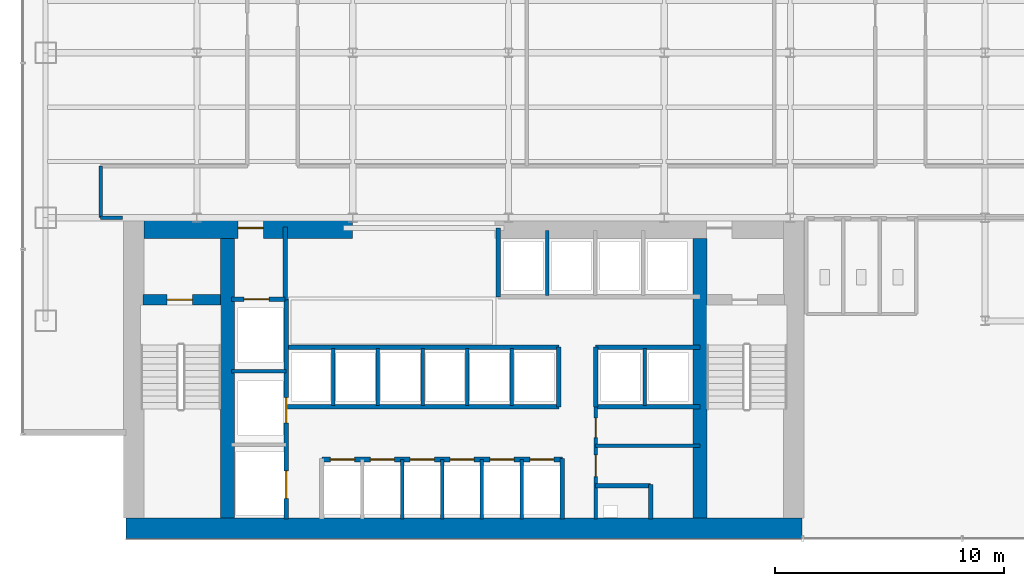
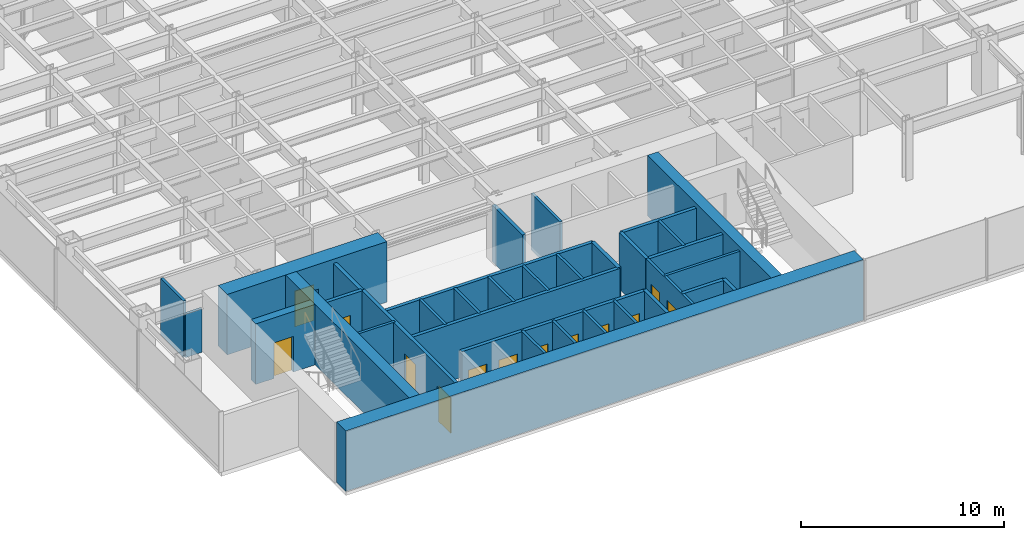
# One storey, part 18 of 23: 35 walls, 13 doors, 13 openings.
"""IFC4 building model written with IfcOpenShell, lengths in metres."""

from ifc_helpers import new_model, si_unit, derived_unit, direction, frame, frame_2d, origin, place, context, subcontext, project, spatial, rectangle, extrude, source, transform, mapped, material, layer, layer_set, type_object, element, fill, save


model = new_model("IFC4")

# Units and contexts
model_context = context("Model", 3, precision=1e-05, world=origin(), true_north=direction((0.0, 1.0)))
body_context = subcontext(model_context, "Body", "Model", "MODEL_VIEW")
ifc_project = project(units=[si_unit("LENGTHUNIT", "METRE"), si_unit("AREAUNIT", "SQUARE_METRE"), si_unit("VOLUMEUNIT", "CUBIC_METRE"), si_unit("PLANEANGLEUNIT", "RADIAN"), si_unit("MASSUNIT", "GRAM", prefix="KILO"), derived_unit("THERMALTRANSMITTANCEUNIT", [(si_unit("POWERUNIT", "WATT"), 1), (si_unit("LENGTHUNIT", "METRE"), -2), (si_unit("THERMODYNAMICTEMPERATUREUNIT", "KELVIN"), -1)])], contexts=[model_context])

# Site, building, storey
site_placement = place(None, origin())
site = spatial("IfcSite", under=ifc_project, at=site_placement, CompositionType="ELEMENT")
building_placement = place(site_placement, origin())
building = spatial("IfcBuilding", under=site, at=building_placement, Name="Skarnbrae Concourse Arena and Tower", CompositionType="ELEMENT")
storey_placement = place(building_placement, frame((0.0, 0.0, 54.39990234375)))
storey = spatial("IfcBuildingStorey", under=building, at=storey_placement, Name="L12", CompositionType="ELEMENT", Elevation=54.39990234375)

# Wall
ifc_material_1 = material(Name="Concrete 70 MPa (C70/85)", Category="concrete")
ifc_layer_1 = layer(ifc_material_1, 0.89990234375)
ifc_layer_set_1 = layer_set([ifc_layer_1], Name="Concrete 70 MPa (C70/85)")
wall_type_1 = type_object("IfcWallType", Name="WALL-CORE-900-C70", PredefinedType="SHEAR", material=ifc_layer_set_1)
shared_shape_1 = source(origin(), body_context, "Body", "SweptSolid", [
    extrude(rectangle(XDim=29.5, YDim=0.89990234375, at=frame_2d((14.75, 0.0))), origin(), (0.0, 0.0, 1.0), 3.650146484375),
])
wall_1_placement = place(storey_placement, frame((4.5, 0.449951171875, 0.0), z_axis=(0.0, 0.0, 1.0), x_axis=(1.0, 0.0, 0.0)))
element("IfcWall", 1, at=wall_1_placement, inside=storey, type_object=wall_type_1, Name="L12 Rear core shear wall CW-S", PredefinedType="SHEAR", context=body_context, shape_type="MappedRepresentation", body=[
    mapped(shared_shape_1, transform((0.0, 0.0, 0.0))),
])

# Wall, opening, door
shared_shape_2 = source(origin(), body_context, "Body", "SweptSolid", [
    extrude(rectangle(XDim=9.099853515625, YDim=0.89990234375, at=frame_2d((4.5498046875, 0.0))), origin(), (0.0, 0.0, 1.0), 3.650146484375),
])
wall_2_placement = place(storey_placement, frame((5.300048828125, 13.550048828125, 0.0), z_axis=(0.0, 0.0, 1.0), x_axis=(1.0, 0.0, 0.0)))
wall_2 = element("IfcWall", 2, at=wall_2_placement, inside=storey, type_object=wall_type_1, Name="L12 Rear core shear wall CW-NW", PredefinedType="SHEAR", context=body_context, shape_type="MappedRepresentation", body=[
    mapped(shared_shape_2, transform((0.0, 0.0, 0.0))),
])
opening_1_placement = place(wall_2_placement, frame((4.10009765625, 0.0, 0.0)))
opening_1 = element("IfcOpeningElement", 3, at=opening_1_placement, cuts=wall_2, Name="Opening DT-03", PredefinedType="OPENING", context=body_context, shape_type="SweptSolid", body=[
    extrude(rectangle(XDim=1.10009765625, YDim=2.14990234375, at=frame_2d((0.550048828125, 1.074951171875))), frame((0.0, 0.4599609375, 0.0), z_axis=(0.0, -1.0, 0.0), x_axis=(1.0, 0.0, 0.0)), (0.0, 0.0, 1.0), 0.919921875),
])
ifc_material_2 = material(Name="Steel CSA G40.21 350W", Category="steel")
door_type_1 = type_object("IfcDoorType", Name="DOOR-FIRE-1100-90M", OperationType="NOTDEFINED", PredefinedType="DOOR", material=ifc_material_2)
shared_shape_3 = source(origin(), body_context, "Body", "SweptSolid", [
    extrude(rectangle(XDim=1.10009765625, YDim=2.14990234375, at=frame_2d((0.550048828125, 1.074951171875))), frame((0.0, 0.02490234375, 0.0), z_axis=(0.0, -1.0, 0.0), x_axis=(1.0, 0.0, 0.0)), (0.0, 0.0, 1.0), 0.050048828125),
])
door_1_placement = place(opening_1_placement, origin())
door_1 = element("IfcDoor", 4, at=door_1_placement, inside=storey, type_object=door_type_1, Name="D-0496 Firefighting Lobby Exit Door", OperationType="SINGLE_SWING_RIGHT", OverallHeight=2.14990234375, OverallWidth=1.10009765625, PredefinedType="DOOR", context=body_context, shape_type="MappedRepresentation", body=[
    mapped(shared_shape_3, transform((0.0, 0.0, 0.0))),
])
fill(opening_1, door_1)

# Walls
ifc_layer_2 = layer(ifc_material_1, 0.60009765625)
ifc_layer_set_2 = layer_set([ifc_layer_2], Name="Concrete 70 MPa (C70/85)")
wall_type_2 = type_object("IfcWallType", Name="WALL-CORE-600-C70", PredefinedType="SHEAR", material=ifc_layer_set_2)
shared_shape_4 = source(origin(), body_context, "Body", "SweptSolid", [
    extrude(rectangle(XDim=12.2001953125, YDim=0.60009765625, at=frame_2d((6.10009765625, 0.0))), origin(), (0.0, 0.0, 1.0), 3.650146484375),
])
for number, where, z_axis, x_axis, name in (
    (5, (8.93994140625, 0.89990234375, 0.0), (0.0, 0.0, 1.0), (0.0, 1.0, 0.0), "L12 Rear core shear wall CW-WEB-W"),
    (6, (29.56005859375, 0.89990234375, 0.0), (0.0, 0.0, 1.0), (0.0, 1.0, 0.0), "L12 Rear core shear wall CW-WEB-E"),
):
    element("IfcWall", number, at=place(storey_placement, frame(where, z_axis=z_axis, x_axis=x_axis)), inside=storey, type_object=wall_type_2, Name=name, PredefinedType="SHEAR", context=body_context, shape_type="MappedRepresentation", body=[
        mapped(shared_shape_4, transform((0.0, 0.0, 0.0))),
    ])

# Wall, opening, door
ifc_material_3 = material(Name="Concrete 50 MPa (C50/60)", Category="concrete")
ifc_layer_3 = layer(ifc_material_3, 0.449951171875)
ifc_layer_set_3 = layer_set([ifc_layer_3], Name="Concrete 50 MPa (C50/60)")
wall_type_3 = type_object("IfcWallType", Name="WALL-CORE-450-C50", PredefinedType="SHEAR", material=ifc_layer_set_3)
shared_shape_5 = source(origin(), body_context, "Body", "SweptSolid", [
    extrude(rectangle(XDim=3.389892578125, YDim=0.449951171875, at=frame_2d((1.69482421875, 0.0))), origin(), (0.0, 0.0, 1.0), 3.650146484375),
])
wall_3_placement = place(storey_placement, frame((5.25, 10.419921875, 0.0), z_axis=(0.0, 0.0, 1.0), x_axis=(1.0, 0.0, 0.0)))
wall_3 = element("IfcWall", 7, at=wall_3_placement, inside=storey, type_object=wall_type_3, Name="L12 Rear core shear wall CW-ST1-N", PredefinedType="SHEAR", context=body_context, shape_type="MappedRepresentation", body=[
    mapped(shared_shape_5, transform((0.0, 0.0, 0.0))),
])
opening_2_placement = place(wall_3_placement, frame((1.050048828125, 0.0, 0.0)))
opening_2 = element("IfcOpeningElement", 8, at=opening_2_placement, cuts=wall_3, Name="Opening DT-03", PredefinedType="OPENING", context=body_context, shape_type="SweptSolid", body=[
    extrude(rectangle(XDim=1.10009765625, YDim=2.14990234375, at=frame_2d((0.550048828125, 1.074951171875))), frame((0.0, 0.23486328125, 0.0), z_axis=(0.0, -1.0, 0.0), x_axis=(1.0, 0.0, 0.0)), (0.0, 0.0, 1.0), 0.469970703125),
])
door_2_placement = place(opening_2_placement, frame((1.10009765625, 0.0, 0.0), z_axis=(0.0, 0.0, 1.0), x_axis=(-1.0, 0.0, 0.0)))
door_2 = element("IfcDoor", 9, at=door_2_placement, inside=storey, type_object=door_type_1, Name="D-0494 Stair ST-1 Door", OperationType="SINGLE_SWING_LEFT", OverallHeight=2.14990234375, OverallWidth=1.10009765625, PredefinedType="DOOR", context=body_context, shape_type="MappedRepresentation", body=[
    mapped(shared_shape_3, transform((0.0, 0.0, 0.0))),
])
fill(opening_2, door_2)

# Walls
ifc_material_4 = material(Name="Gypsum board on cold-formed steel studs", Category="steel")
ifc_layer_4 = layer(ifc_material_4, 0.14990234375)
ifc_layer_set_4 = layer_set([ifc_layer_4], Name="Gypsum board on cold-formed steel studs")
wall_type_4 = type_object("IfcWallType", Name="WALL-PART-150-1HR", PredefinedType="PARTITIONING", material=ifc_layer_set_4)
shared_shape_6 = source(origin(), body_context, "Body", "SweptSolid", [
    extrude(rectangle(XDim=0.9501953125, YDim=0.14990234375, at=frame_2d((0.47509765625, 0.0))), origin(), (0.0, 0.0, 1.0), 2.625),
])
wall_4_placement = place(storey_placement, frame((4.35009765625, 14.0, 0.0), z_axis=(0.0, 0.0, 1.0), x_axis=(-1.0, 0.0, 0.0)))
element("IfcWall", 10, at=wall_4_placement, inside=storey, type_object=wall_type_4, Name="L12 Interior partition wall W-L12-COR-01", PredefinedType="PARTITIONING", context=body_context, shape_type="MappedRepresentation", body=[
    mapped(shared_shape_6, transform((0.0, 0.0, 0.0))),
])
ifc_layer_5 = layer(ifc_material_4, 0.199951171875)
ifc_layer_set_5 = layer_set([ifc_layer_5], Name="Gypsum board on cold-formed steel studs")
wall_type_5 = type_object("IfcWallType", Name="WALL-PART-200-2HR", PredefinedType="PARTITIONING", material=ifc_layer_set_5)
shared_shape_7 = source(origin(), body_context, "Body", "SweptSolid", [
    extrude(rectangle(XDim=3.18017578125, YDim=0.199951171875, at=frame_2d((1.590087890625, 0.0))), origin(), (0.0, 0.0, 1.0), 3.400146484375),
])
wall_5_placement = place(storey_placement, frame((11.449951171875, 10.419921875, 0.0), z_axis=(0.0, 0.0, 1.0), x_axis=(0.0, 1.0, 0.0)))
element("IfcWall", 11, at=wall_5_placement, inside=storey, type_object=wall_type_5, Name="L12 Interior partition wall W-L12-FFL-E", PredefinedType="PARTITIONING", context=body_context, shape_type="MappedRepresentation", body=[
    mapped(shared_shape_7, transform((0.0, 0.0, 0.0))),
])

# Wall, opening, door
shared_shape_8 = source(origin(), body_context, "Body", "SweptSolid", [
    extrude(rectangle(XDim=2.349853515625, YDim=0.199951171875, at=frame_2d((1.1748046875, 0.0))), origin(), (0.0, 0.0, 1.0), 3.400146484375),
])
wall_6_placement = place(storey_placement, frame((9.10009765625, 10.449951171875, 0.0), z_axis=(0.0, 0.0, 1.0), x_axis=(1.0, 0.0, 0.0)))
wall_6 = element("IfcWall", 12, at=wall_6_placement, inside=storey, type_object=wall_type_5, Name="L12 Interior partition wall W-L12-FL1-N", PredefinedType="PARTITIONING", context=body_context, shape_type="MappedRepresentation", body=[
    mapped(shared_shape_8, transform((0.0, 0.0, 0.0))),
])
opening_3_placement = place(wall_6_placement, frame((0.550048828125, 0.0, 0.0)))
opening_3 = element("IfcOpeningElement", 13, at=opening_3_placement, cuts=wall_6, Name="Opening LD-01", PredefinedType="OPENING", context=body_context, shape_type="SweptSolid", body=[
    extrude(rectangle(XDim=1.10009765625, YDim=2.14990234375, at=frame_2d((0.550048828125, 1.074951171875))), frame((0.0, 0.10986328125, 0.0), z_axis=(0.0, -1.0, 0.0), x_axis=(1.0, 0.0, 0.0)), (0.0, 0.0, 1.0), 0.219970703125),
])
door_type_2 = type_object("IfcDoorType", Name="DOOR-LIFT-SLIDE-1100", OperationType="SLIDING_TO_LEFT", PredefinedType="DOOR", material=ifc_material_2)
door_3_placement = place(opening_3_placement, origin())
door_3 = element("IfcDoor", 14, at=door_3_placement, inside=storey, type_object=door_type_2, Name="D-0498 Firefighting Lift Landing Door FL-01", OperationType="SLIDING_TO_LEFT", OverallHeight=2.14990234375, OverallWidth=1.10009765625, PredefinedType="DOOR", context=body_context, shape_type="MappedRepresentation", body=[
    mapped(shared_shape_3, transform((0.0, 0.0, 0.0))),
])
fill(opening_3, door_3)

# Wall, openings, doors
shared_shape_9 = source(origin(), body_context, "Body", "SweptSolid", [
    extrude(rectangle(XDim=9.599853515625, YDim=0.199951171875, at=frame_2d((4.7998046875, 0.0))), origin(), (0.0, 0.0, 1.0), 3.400146484375),
])
wall_7_placement = place(storey_placement, frame((11.5, 0.85009765625, 0.0), z_axis=(0.0, 0.0, 1.0), x_axis=(0.0, 1.0, 0.0)))
wall_7 = element("IfcWall", 15, at=wall_7_placement, inside=storey, type_object=wall_type_5, Name="L12 Interior partition wall W-L12-FL-E", PredefinedType="PARTITIONING", context=body_context, shape_type="MappedRepresentation", body=[
    mapped(shared_shape_9, transform((0.0, 0.0, 0.0))),
])
opening_4_placement = place(wall_7_placement, frame((4.199951171875, 0.0, 0.0)))
opening_4 = element("IfcOpeningElement", 16, at=opening_4_placement, cuts=wall_7, Name="Opening LD-01", PredefinedType="OPENING", context=body_context, shape_type="SweptSolid", body=[
    extrude(rectangle(XDim=1.10009765625, YDim=2.14990234375, at=frame_2d((0.550048828125, 1.074951171875))), frame((0.0, 0.10986328125, 0.0), z_axis=(0.0, -1.0, 0.0), x_axis=(1.0, 0.0, 0.0)), (0.0, 0.0, 1.0), 0.219970703125),
])
opening_5_placement = place(wall_7_placement, frame((0.89990234375, 0.0, 0.0)))
opening_5 = element("IfcOpeningElement", 17, at=opening_5_placement, cuts=wall_7, Name="Opening LD-02", PredefinedType="OPENING", context=body_context, shape_type="SweptSolid", body=[
    extrude(rectangle(XDim=1.199951171875, YDim=2.14990234375, at=frame_2d((0.60009765625, 1.074951171875))), frame((0.0, 0.10986328125, 0.0), z_axis=(0.0, -1.0, 0.0), x_axis=(1.0, 0.0, 0.0)), (0.0, 0.0, 1.0), 0.219970703125),
])
door_4_placement = place(opening_4_placement, frame((1.10009765625, 0.0, 0.0), z_axis=(0.0, 0.0, 1.0), x_axis=(-1.0, 0.0, 0.0)))
door_4 = element("IfcDoor", 18, at=door_4_placement, inside=storey, type_object=door_type_2, Name="D-0499 Firefighting Lift Landing Door FL-02", OperationType="SLIDING_TO_LEFT", OverallHeight=2.14990234375, OverallWidth=1.10009765625, PredefinedType="DOOR", context=body_context, shape_type="MappedRepresentation", body=[
    mapped(shared_shape_3, transform((0.0, 0.0, 0.0))),
])
fill(opening_4, door_4)
door_type_3 = type_object("IfcDoorType", Name="DOOR-LIFT-SLIDE-1200", OperationType="SLIDING_TO_LEFT", PredefinedType="DOOR", material=ifc_material_2)
shared_shape_10 = source(origin(), body_context, "Body", "SweptSolid", [
    extrude(rectangle(XDim=1.199951171875, YDim=2.14990234375, at=frame_2d((0.60009765625, 1.074951171875))), frame((0.0, 0.02490234375, 0.0), z_axis=(0.0, -1.0, 0.0), x_axis=(1.0, 0.0, 0.0)), (0.0, 0.0, 1.0), 0.050048828125),
])
door_5_placement = place(opening_5_placement, frame((1.199951171875, 0.0, 0.0), z_axis=(0.0, 0.0, 1.0), x_axis=(-1.0, 0.0, 0.0)))
door_5 = element("IfcDoor", 19, at=door_5_placement, inside=storey, type_object=door_type_3, Name="D-0500 Service Lift Landing Door SV-01", OperationType="SLIDING_TO_LEFT", OverallHeight=2.14990234375, OverallWidth=1.199951171875, PredefinedType="DOOR", context=body_context, shape_type="MappedRepresentation", body=[
    mapped(shared_shape_10, transform((0.0, 0.0, 0.0))),
])
fill(opening_5, door_5)

# Walls
ifc_layer_6 = layer(ifc_material_4, 0.14990234375)
ifc_layer_set_6 = layer_set([ifc_layer_6], Name="Gypsum board on cold-formed steel studs")
wall_type_6 = type_object("IfcWallType", Name="WALL-PART-150", PredefinedType="PARTITIONING", material=ifc_layer_set_6)
shared_shape_11 = source(origin(), body_context, "Body", "SweptSolid", [
    extrude(rectangle(XDim=2.39990234375, YDim=0.14990234375, at=frame_2d((1.199951171875, 0.0))), origin(), (0.0, 0.0, 1.0), 3.400146484375),
])
wall_8_placement = place(storey_placement, frame((9.10009765625, 7.300048828125, 0.0), z_axis=(0.0, 0.0, 1.0), x_axis=(1.0, 0.0, 0.0)))
element("IfcWall", 20, at=wall_8_placement, inside=storey, type_object=wall_type_6, Name="L12 Interior partition wall W-L12-FL-D2", PredefinedType="PARTITIONING", context=body_context, shape_type="MappedRepresentation", body=[
    mapped(shared_shape_11, transform((0.0, 0.0, 0.0))),
])
shared_shape_12 = source(origin(), body_context, "Body", "SweptSolid", [
    extrude(rectangle(XDim=2.64990234375, YDim=0.199951171875, at=frame_2d((1.324951171875, 0.0))), origin(), (0.0, 0.0, 1.0), 3.400146484375),
])
wall_9_placement = place(storey_placement, frame((23.550048828125, 0.85009765625, 0.0), z_axis=(0.0, 0.0, 1.0), x_axis=(0.0, 1.0, 0.0)))
element("IfcWall", 21, at=wall_9_placement, inside=storey, type_object=wall_type_5, Name="L12 Interior partition wall W-L12-B1-E", PredefinedType="PARTITIONING", context=body_context, shape_type="MappedRepresentation", body=[
    mapped(shared_shape_12, transform((0.0, 0.0, 0.0))),
])

# Wall, openings, doors
shared_shape_13 = source(origin(), body_context, "Body", "SweptSolid", [
    extrude(rectangle(XDim=10.5, YDim=0.199951171875, at=frame_2d((5.25, 0.0))), origin(), (0.0, 0.0, 1.0), 3.400146484375),
])
wall_10_placement = place(storey_placement, frame((13.050048828125, 3.449951171875, 0.0), z_axis=(0.0, 0.0, 1.0), x_axis=(1.0, 0.0, 0.0)))
wall_10 = element("IfcWall", 22, at=wall_10_placement, inside=storey, type_object=wall_type_5, Name="L12 Interior partition wall W-L12-B1-N", PredefinedType="PARTITIONING", context=body_context, shape_type="MappedRepresentation", body=[
    mapped(shared_shape_13, transform((0.0, 0.0, 0.0))),
])
opening_6_placement = place(wall_10_placement, frame((0.3798828125, 0.0, 0.0)))
opening_6 = element("IfcOpeningElement", 23, at=opening_6_placement, cuts=wall_10, Name="Opening LD-03", PredefinedType="OPENING", context=body_context, shape_type="SweptSolid", body=[
    extrude(rectangle(XDim=1.050048828125, YDim=2.14990234375, at=frame_2d((0.52490234375, 1.074951171875))), frame((0.0, 0.10986328125, 0.0), z_axis=(0.0, -1.0, 0.0), x_axis=(1.0, 0.0, 0.0)), (0.0, 0.0, 1.0), 0.219970703125),
])
opening_7_placement = place(wall_10_placement, frame((2.1201171875, 0.0, 0.0)))
opening_7 = element("IfcOpeningElement", 24, at=opening_7_placement, cuts=wall_10, Name="Opening LD-03", PredefinedType="OPENING", context=body_context, shape_type="SweptSolid", body=[
    extrude(rectangle(XDim=1.050048828125, YDim=2.14990234375, at=frame_2d((0.52490234375, 1.074951171875))), frame((0.0, 0.10986328125, 0.0), z_axis=(0.0, -1.0, 0.0), x_axis=(1.0, 0.0, 0.0)), (0.0, 0.0, 1.0), 0.219970703125),
])
opening_8_placement = place(wall_10_placement, frame((3.860107421875, 0.0, 0.0)))
opening_8 = element("IfcOpeningElement", 25, at=opening_8_placement, cuts=wall_10, Name="Opening LD-03", PredefinedType="OPENING", context=body_context, shape_type="SweptSolid", body=[
    extrude(rectangle(XDim=1.050048828125, YDim=2.14990234375, at=frame_2d((0.52490234375, 1.074951171875))), frame((0.0, 0.10986328125, 0.0), z_axis=(0.0, -1.0, 0.0), x_axis=(1.0, 0.0, 0.0)), (0.0, 0.0, 1.0), 0.219970703125),
])
opening_9_placement = place(wall_10_placement, frame((5.60009765625, 0.0, 0.0)))
opening_9 = element("IfcOpeningElement", 26, at=opening_9_placement, cuts=wall_10, Name="Opening LD-03", PredefinedType="OPENING", context=body_context, shape_type="SweptSolid", body=[
    extrude(rectangle(XDim=1.050048828125, YDim=2.14990234375, at=frame_2d((0.52490234375, 1.074951171875))), frame((0.0, 0.10986328125, 0.0), z_axis=(0.0, -1.0, 0.0), x_axis=(1.0, 0.0, 0.0)), (0.0, 0.0, 1.0), 0.219970703125),
])
opening_10_placement = place(wall_10_placement, frame((7.340087890625, 0.0, 0.0)))
opening_10 = element("IfcOpeningElement", 27, at=opening_10_placement, cuts=wall_10, Name="Opening LD-03", PredefinedType="OPENING", context=body_context, shape_type="SweptSolid", body=[
    extrude(rectangle(XDim=1.050048828125, YDim=2.14990234375, at=frame_2d((0.52490234375, 1.074951171875))), frame((0.0, 0.10986328125, 0.0), z_axis=(0.0, -1.0, 0.0), x_axis=(1.0, 0.0, 0.0)), (0.0, 0.0, 1.0), 0.219970703125),
])
opening_11_placement = place(wall_10_placement, frame((9.080078125, 0.0, 0.0)))
opening_11 = element("IfcOpeningElement", 28, at=opening_11_placement, cuts=wall_10, Name="Opening LD-03", PredefinedType="OPENING", context=body_context, shape_type="SweptSolid", body=[
    extrude(rectangle(XDim=1.050048828125, YDim=2.14990234375, at=frame_2d((0.52490234375, 1.074951171875))), frame((0.0, 0.10986328125, 0.0), z_axis=(0.0, -1.0, 0.0), x_axis=(1.0, 0.0, 0.0)), (0.0, 0.0, 1.0), 0.219970703125),
])
ifc_material_5 = material(Name="Bronze anodised aluminium 6063-T6", Category="aluminium")
door_type_4 = type_object("IfcDoorType", Name="DOOR-LIFT-SLIDE-1050", OperationType="SLIDING_TO_LEFT", PredefinedType="DOOR", material=ifc_material_5)
shared_shape_14 = source(origin(), body_context, "Body", "SweptSolid", [
    extrude(rectangle(XDim=1.050048828125, YDim=2.14990234375, at=frame_2d((0.52490234375, 1.074951171875))), frame((0.0, 0.02490234375, 0.0), z_axis=(0.0, -1.0, 0.0), x_axis=(1.0, 0.0, 0.0)), (0.0, 0.0, 1.0), 0.050048828125),
])
door_6_placement = place(opening_6_placement, origin())
door_6 = element("IfcDoor", 29, at=door_6_placement, inside=storey, type_object=door_type_4, Name="D-0501 Passenger Lift Landing Door PL-1A", OperationType="SLIDING_TO_LEFT", OverallHeight=2.14990234375, OverallWidth=1.050048828125, PredefinedType="DOOR", context=body_context, shape_type="MappedRepresentation", body=[
    mapped(shared_shape_14, transform((0.0, 0.0, 0.0))),
])
fill(opening_6, door_6)
door_7_placement = place(opening_7_placement, origin())
door_7 = element("IfcDoor", 30, at=door_7_placement, inside=storey, type_object=door_type_4, Name="D-0502 Passenger Lift Landing Door PL-1B", OperationType="SLIDING_TO_LEFT", OverallHeight=2.14990234375, OverallWidth=1.050048828125, PredefinedType="DOOR", context=body_context, shape_type="MappedRepresentation", body=[
    mapped(shared_shape_14, transform((0.0, 0.0, 0.0))),
])
fill(opening_7, door_7)
door_8_placement = place(opening_8_placement, origin())
door_8 = element("IfcDoor", 31, at=door_8_placement, inside=storey, type_object=door_type_4, Name="D-0503 Passenger Lift Landing Door PL-1C", OperationType="SLIDING_TO_LEFT", OverallHeight=2.14990234375, OverallWidth=1.050048828125, PredefinedType="DOOR", context=body_context, shape_type="MappedRepresentation", body=[
    mapped(shared_shape_14, transform((0.0, 0.0, 0.0))),
])
fill(opening_8, door_8)
door_9_placement = place(opening_9_placement, origin())
door_9 = element("IfcDoor", 32, at=door_9_placement, inside=storey, type_object=door_type_4, Name="D-0504 Passenger Lift Landing Door PL-1D", OperationType="SLIDING_TO_LEFT", OverallHeight=2.14990234375, OverallWidth=1.050048828125, PredefinedType="DOOR", context=body_context, shape_type="MappedRepresentation", body=[
    mapped(shared_shape_14, transform((0.0, 0.0, 0.0))),
])
fill(opening_9, door_9)
door_10_placement = place(opening_10_placement, origin())
door_10 = element("IfcDoor", 33, at=door_10_placement, inside=storey, type_object=door_type_4, Name="D-0505 Passenger Lift Landing Door PL-1E", OperationType="SLIDING_TO_LEFT", OverallHeight=2.14990234375, OverallWidth=1.050048828125, PredefinedType="DOOR", context=body_context, shape_type="MappedRepresentation", body=[
    mapped(shared_shape_14, transform((0.0, 0.0, 0.0))),
])
fill(opening_10, door_10)
door_11_placement = place(opening_11_placement, origin())
door_11 = element("IfcDoor", 34, at=door_11_placement, inside=storey, type_object=door_type_4, Name="D-0506 Passenger Lift Landing Door PL-1F", OperationType="SLIDING_TO_LEFT", OverallHeight=2.14990234375, OverallWidth=1.050048828125, PredefinedType="DOOR", context=body_context, shape_type="MappedRepresentation", body=[
    mapped(shared_shape_14, transform((0.0, 0.0, 0.0))),
])
fill(opening_11, door_11)

# Walls
shared_shape_15 = source(origin(), body_context, "Body", "SweptSolid", [
    extrude(rectangle(XDim=2.599853515625, YDim=0.14990234375, at=frame_2d((1.2998046875, 0.0))), origin(), (0.0, 0.0, 1.0), 3.400146484375),
])
for number, where, z_axis, x_axis, name in (
    (35, (16.56005859375, 0.85009765625, 0.0), (0.0, 0.0, 1.0), (0.0, 1.0, 0.0), "L12 Interior partition wall W-L12-B1-P2"),
    (36, (18.300048828125, 0.85009765625, 0.0), (0.0, 0.0, 1.0), (0.0, 1.0, 0.0), "L12 Interior partition wall W-L12-B1-P3"),
    (37, (20.0400390625, 0.85009765625, 0.0), (0.0, 0.0, 1.0), (0.0, 1.0, 0.0), "L12 Interior partition wall W-L12-B1-P4"),
    (38, (21.780029296875, 0.85009765625, 0.0), (0.0, 0.0, 1.0), (0.0, 1.0, 0.0), "L12 Interior partition wall W-L12-B1-P5"),
):
    element("IfcWall", number, at=place(storey_placement, frame(where, z_axis=z_axis, x_axis=x_axis)), inside=storey, type_object=wall_type_6, Name=name, PredefinedType="PARTITIONING", context=body_context, shape_type="MappedRepresentation", body=[
        mapped(shared_shape_15, transform((0.0, 0.0, 0.0))),
    ])
shared_shape_16 = source(origin(), body_context, "Body", "SweptSolid", [
    extrude(rectangle(XDim=11.849853515625, YDim=0.199951171875, at=frame_2d((5.9248046875, 0.0))), origin(), (0.0, 0.0, 1.0), 3.400146484375),
])
for number, where, z_axis, x_axis, name in (
    (39, (11.550048828125, 5.75, 0.0), (0.0, 0.0, 1.0), (1.0, 0.0, 0.0), "L12 Interior partition wall W-L12-B2-S"),
    (40, (11.550048828125, 8.35009765625, 0.0), (0.0, 0.0, 1.0), (1.0, 0.0, 0.0), "L12 Interior partition wall W-L12-B2-N"),
):
    element("IfcWall", number, at=place(storey_placement, frame(where, z_axis=z_axis, x_axis=x_axis)), inside=storey, type_object=wall_type_5, Name=name, PredefinedType="PARTITIONING", context=body_context, shape_type="MappedRepresentation", body=[
        mapped(shared_shape_16, transform((0.0, 0.0, 0.0))),
    ])
shared_shape_17 = source(origin(), body_context, "Body", "SweptSolid", [
    extrude(rectangle(XDim=2.60009765625, YDim=0.199951171875, at=frame_2d((1.300048828125, 0.0))), origin(), (0.0, 0.0, 1.0), 3.400146484375),
])
for number, where, z_axis, x_axis, name in (
    (41, (23.39990234375, 5.75, 0.0), (0.0, 0.0, 1.0), (0.0, 1.0, 0.0), "L12 Interior partition wall W-L12-B2-E"),
    (42, (25.0, 5.75, 0.0), (0.0, 0.0, 1.0), (0.0, 1.0, 0.0), "L12 Interior partition wall W-L12-B3S-W"),
):
    element("IfcWall", number, at=place(storey_placement, frame(where, z_axis=z_axis, x_axis=x_axis)), inside=storey, type_object=wall_type_5, Name=name, PredefinedType="PARTITIONING", context=body_context, shape_type="MappedRepresentation", body=[
        mapped(shared_shape_17, transform((0.0, 0.0, 0.0))),
    ])
shared_shape_18 = source(origin(), body_context, "Body", "SweptSolid", [
    extrude(rectangle(XDim=2.5, YDim=0.14990234375, at=frame_2d((1.25, 0.0))), origin(), (0.0, 0.0, 1.0), 3.400146484375),
])
for number, where, z_axis, x_axis, name in (
    (43, (13.550048828125, 5.800048828125, 0.0), (0.0, 0.0, 1.0), (0.0, 1.0, 0.0), "L12 Interior partition wall W-L12-B2-P1"),
    (44, (15.5, 5.800048828125, 0.0), (0.0, 0.0, 1.0), (0.0, 1.0, 0.0), "L12 Interior partition wall W-L12-B2-P2"),
    (45, (17.449951171875, 5.800048828125, 0.0), (0.0, 0.0, 1.0), (0.0, 1.0, 0.0), "L12 Interior partition wall W-L12-B2-P3"),
    (46, (19.39990234375, 5.800048828125, 0.0), (0.0, 0.0, 1.0), (0.0, 1.0, 0.0), "L12 Interior partition wall W-L12-B2-P4"),
    (47, (21.35009765625, 5.800048828125, 0.0), (0.0, 0.0, 1.0), (0.0, 1.0, 0.0), "L12 Interior partition wall W-L12-B2-P5"),
    (48, (27.139892578125, 5.800048828125, 0.0), (0.0, 0.0, 1.0), (0.0, 1.0, 0.0), "L12 Interior partition wall W-L12-B3S-P1"),
):
    element("IfcWall", number, at=place(storey_placement, frame(where, z_axis=z_axis, x_axis=x_axis)), inside=storey, type_object=wall_type_6, Name=name, PredefinedType="PARTITIONING", context=body_context, shape_type="MappedRepresentation", body=[
        mapped(shared_shape_18, transform((0.0, 0.0, 0.0))),
    ])
shared_shape_19 = source(origin(), body_context, "Body", "SweptSolid", [
    extrude(rectangle(XDim=3.0, YDim=0.199951171875, at=frame_2d((1.5, 0.0))), origin(), (0.0, 0.0, 1.0), 3.400146484375),
])
wall_11_placement = place(storey_placement, frame((20.75, 10.550048828125, 0.0), z_axis=(0.0, 0.0, 1.0), x_axis=(0.0, 1.0, 0.0)))
element("IfcWall", 49, at=wall_11_placement, inside=storey, type_object=wall_type_5, Name="L12 Interior partition wall W-L12-B3N-W", PredefinedType="PARTITIONING", context=body_context, shape_type="MappedRepresentation", body=[
    mapped(shared_shape_19, transform((0.0, 0.0, 0.0))),
])
shared_shape_20 = source(origin(), body_context, "Body", "SweptSolid", [
    extrude(rectangle(XDim=2.849853515625, YDim=0.14990234375, at=frame_2d((1.4248046875, 0.0))), origin(), (0.0, 0.0, 1.0), 3.400146484375),
])
wall_12_placement = place(storey_placement, frame((22.889892578125, 10.60009765625, 0.0), z_axis=(0.0, 0.0, 1.0), x_axis=(0.0, 1.0, 0.0)))
element("IfcWall", 50, at=wall_12_placement, inside=storey, type_object=wall_type_6, Name="L12 Interior partition wall W-L12-B3N-P1", PredefinedType="PARTITIONING", context=body_context, shape_type="MappedRepresentation", body=[
    mapped(shared_shape_20, transform((0.0, 0.0, 0.0))),
])
shared_shape_21 = source(origin(), body_context, "Body", "SweptSolid", [
    extrude(rectangle(XDim=4.550048828125, YDim=0.199951171875, at=frame_2d((2.27490234375, 0.0))), origin(), (0.0, 0.0, 1.0), 3.400146484375),
])
for number, where, z_axis, x_axis, name in (
    (51, (25.0, 8.35009765625, 0.0), (0.0, 0.0, 1.0), (1.0, 0.0, 0.0), "L12 Interior partition wall W-L12-B3S-N"),
    (52, (25.0, 5.75, 0.0), (0.0, 0.0, 1.0), (1.0, 0.0, 0.0), "L12 Interior partition wall W-L12-B3S-S"),
):
    element("IfcWall", number, at=place(storey_placement, frame(where, z_axis=z_axis, x_axis=x_axis)), inside=storey, type_object=wall_type_5, Name=name, PredefinedType="PARTITIONING", context=body_context, shape_type="MappedRepresentation", body=[
        mapped(shared_shape_21, transform((0.0, 0.0, 0.0))),
    ])

# Wall, openings, doors
shared_shape_22 = source(origin(), body_context, "Body", "SweptSolid", [
    extrude(rectangle(XDim=4.89990234375, YDim=0.14990234375, at=frame_2d((2.449951171875, 0.0))), origin(), (0.0, 0.0, 1.0), 3.400146484375),
])
wall_13_placement = place(storey_placement, frame((25.0, 0.85009765625, 0.0), z_axis=(0.0, 0.0, 1.0), x_axis=(0.0, 1.0, 0.0)))
wall_13 = element("IfcWall", 53, at=wall_13_placement, inside=storey, type_object=wall_type_4, Name="L12 Interior partition wall W-L12-CSV-W", PredefinedType="PARTITIONING", context=body_context, shape_type="MappedRepresentation", body=[
    mapped(shared_shape_22, transform((0.0, 0.0, 0.0))),
])
opening_12_placement = place(wall_13_placement, frame((1.85009765625, 0.0, 0.0)))
opening_12 = element("IfcOpeningElement", 54, at=opening_12_placement, cuts=wall_13, Name="Opening DT-04", PredefinedType="OPENING", context=body_context, shape_type="SweptSolid", body=[
    extrude(rectangle(XDim=0.949951171875, YDim=2.14990234375, at=frame_2d((0.47509765625, 1.074951171875))), frame((0.0, 0.0849609375, 0.0), z_axis=(0.0, -1.0, 0.0), x_axis=(1.0, 0.0, 0.0)), (0.0, 0.0, 1.0), 0.169921875),
])
opening_13_placement = place(wall_13_placement, frame((3.550048828125, 0.0, 0.0)))
opening_13 = element("IfcOpeningElement", 55, at=opening_13_placement, cuts=wall_13, Name="Opening DT-08", PredefinedType="OPENING", context=body_context, shape_type="SweptSolid", body=[
    extrude(rectangle(XDim=0.85009765625, YDim=2.14990234375, at=frame_2d((0.425048828125, 1.074951171875))), frame((0.0, 0.0849609375, 0.0), z_axis=(0.0, -1.0, 0.0), x_axis=(1.0, 0.0, 0.0)), (0.0, 0.0, 1.0), 0.169921875),
])
door_type_5 = type_object("IfcDoorType", Name="DOOR-INT-950-45M", OperationType="NOTDEFINED", PredefinedType="DOOR", material=ifc_material_2)
shared_shape_23 = source(origin(), body_context, "Body", "SweptSolid", [
    extrude(rectangle(XDim=0.949951171875, YDim=2.14990234375, at=frame_2d((0.47509765625, 1.074951171875))), frame((0.0, 0.02490234375, 0.0), z_axis=(0.0, -1.0, 0.0), x_axis=(1.0, 0.0, 0.0)), (0.0, 0.0, 1.0), 0.050048828125),
])
door_12_placement = place(opening_12_placement, origin())
door_12 = element("IfcDoor", 56, at=door_12_placement, inside=storey, type_object=door_type_5, Name="D-0507 Core Staff WC Door", OperationType="SINGLE_SWING_RIGHT", OverallHeight=2.14990234375, OverallWidth=0.949951171875, PredefinedType="DOOR", context=body_context, shape_type="MappedRepresentation", body=[
    mapped(shared_shape_23, transform((0.0, 0.0, 0.0))),
])
fill(opening_12, door_12)
door_type_6 = type_object("IfcDoorType", Name="DOOR-INT-850-45M", OperationType="NOTDEFINED", PredefinedType="DOOR", material=ifc_material_2)
shared_shape_24 = source(origin(), body_context, "Body", "SweptSolid", [
    extrude(rectangle(XDim=0.85009765625, YDim=2.14990234375, at=frame_2d((0.425048828125, 1.074951171875))), frame((0.0, 0.02490234375, 0.0), z_axis=(0.0, -1.0, 0.0), x_axis=(1.0, 0.0, 0.0)), (0.0, 0.0, 1.0), 0.050048828125),
])
door_13_placement = place(opening_13_placement, origin())
door_13 = element("IfcDoor", 57, at=door_13_placement, inside=storey, type_object=door_type_6, Name="D-0508 IT Patch Room Door", OperationType="SINGLE_SWING_LEFT", OverallHeight=2.14990234375, OverallWidth=0.85009765625, PredefinedType="DOOR", context=body_context, shape_type="MappedRepresentation", body=[
    mapped(shared_shape_24, transform((0.0, 0.0, 0.0))),
])
fill(opening_13, door_13)

# Walls
shared_shape_25 = source(origin(), body_context, "Body", "SweptSolid", [
    extrude(rectangle(XDim=2.39990234375, YDim=0.199951171875, at=frame_2d((1.199951171875, 0.0))), origin(), (0.0, 0.0, 1.0), 3.400146484375),
])
wall_14_placement = place(storey_placement, frame((25.0, 2.300048828125, 0.0), z_axis=(0.0, 0.0, 1.0), x_axis=(1.0, 0.0, 0.0)))
element("IfcWall", 58, at=wall_14_placement, inside=storey, type_object=wall_type_5, Name="L12 Interior partition wall W-L12-MEP-N", PredefinedType="PARTITIONING", context=body_context, shape_type="MappedRepresentation", body=[
    mapped(shared_shape_25, transform((0.0, 0.0, 0.0))),
])
shared_shape_26 = source(origin(), body_context, "Body", "SweptSolid", [
    extrude(rectangle(XDim=1.5, YDim=0.199951171875, at=frame_2d((0.75, 0.0))), origin(), (0.0, 0.0, 1.0), 3.400146484375),
])
wall_15_placement = place(storey_placement, frame((27.39990234375, 0.85009765625, 0.0), z_axis=(0.0, 0.0, 1.0), x_axis=(0.0, 1.0, 0.0)))
element("IfcWall", 59, at=wall_15_placement, inside=storey, type_object=wall_type_5, Name="L12 Interior partition wall W-L12-MEP-E", PredefinedType="PARTITIONING", context=body_context, shape_type="MappedRepresentation", body=[
    mapped(shared_shape_26, transform((0.0, 0.0, 0.0))),
])
shared_shape_27 = source(origin(), body_context, "Body", "SweptSolid", [
    extrude(rectangle(XDim=2.25, YDim=0.14990234375, at=frame_2d((1.125, 0.0))), origin(), (0.0, 0.0, 1.0), 3.400146484375),
])
wall_16_placement = place(storey_placement, frame((3.39990234375, 14.0, 0.0), z_axis=(0.0, 0.0, 1.0), x_axis=(0.0, 1.0, 0.0)))
element("IfcWall", 60, at=wall_16_placement, inside=storey, type_object=wall_type_4, Name="L12 Interior partition wall W-L12-COR-02", PredefinedType="PARTITIONING", context=body_context, shape_type="MappedRepresentation", body=[
    mapped(shared_shape_27, transform((0.0, 0.0, 0.0))),
])
shared_shape_28 = source(origin(), body_context, "Body", "SweptSolid", [
    extrude(rectangle(XDim=4.550048828125, YDim=0.14990234375, at=frame_2d((2.27490234375, 0.0))), origin(), (0.0, 0.0, 1.0), 3.400146484375),
])
wall_17_placement = place(storey_placement, frame((25.0, 4.050048828125, 0.0), z_axis=(0.0, 0.0, 1.0), x_axis=(1.0, 0.0, 0.0)))
element("IfcWall", 61, at=wall_17_placement, inside=storey, type_object=wall_type_6, Name="L12 Interior partition wall W-L12-CSV-H2", PredefinedType="PARTITIONING", context=body_context, shape_type="MappedRepresentation", body=[
    mapped(shared_shape_28, transform((0.0, 0.0, 0.0))),
])

save(model, "model.ifc")
